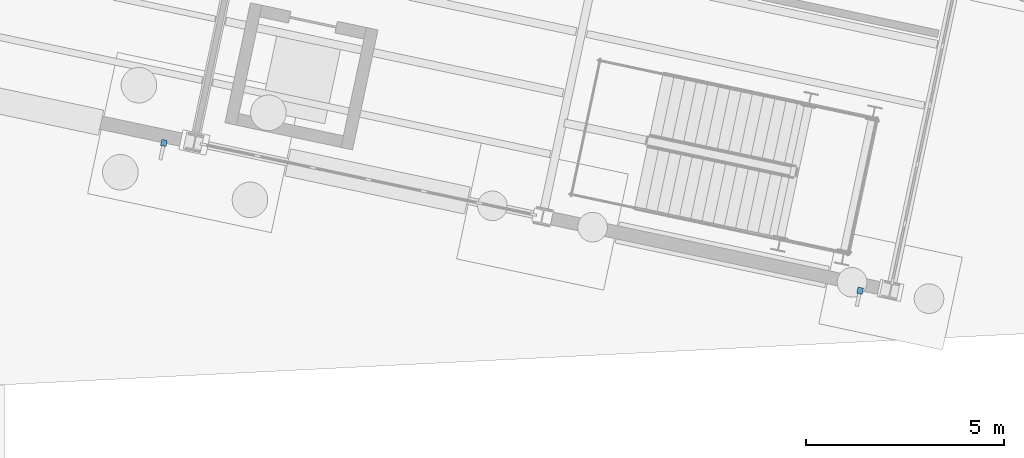
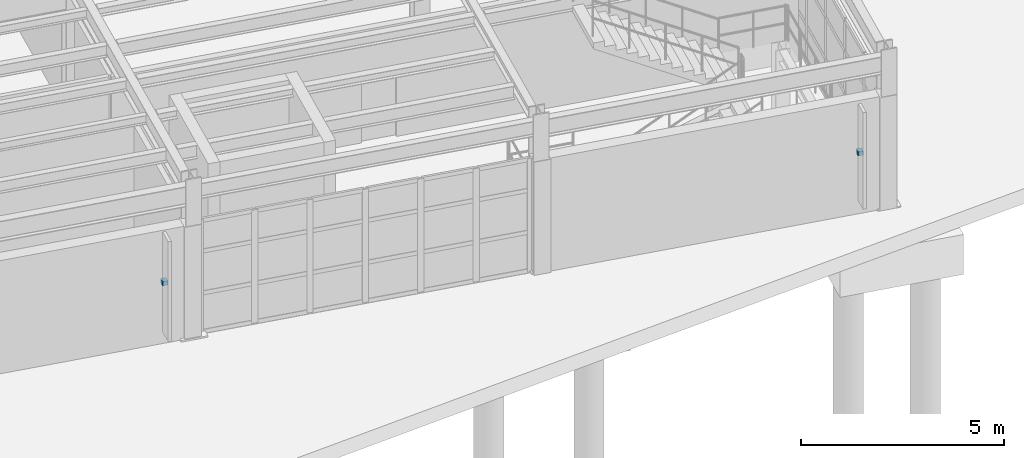
# One storey, part 96 of 108: 2 discrete accessories.
"""IFC4 building model written with IfcOpenShell, lengths in metres."""

from ifc_helpers import new_model, si_unit, direction, frame, origin, origin_2d, place, context, subcontext, project, spatial, rectangle, extrude, material, type_object, element, save


model = new_model("IFC4")

# Units and contexts
model_context = context("Model", 3, precision=1e-05, world=origin(), true_north=direction((0.0, 1.0)))
body_context = subcontext(model_context, "Body", "Model", "MODEL_VIEW")
ifc_project = project(units=[si_unit("LENGTHUNIT", "METRE"), si_unit("AREAUNIT", "SQUARE_METRE"), si_unit("VOLUMEUNIT", "CUBIC_METRE"), si_unit("PLANEANGLEUNIT", "RADIAN"), si_unit("MASSUNIT", "GRAM", prefix="KILO")], contexts=[model_context])

# Site, building, storey
site_placement = place(None, origin())
site = spatial("IfcSite", under=ifc_project, at=site_placement, CompositionType="ELEMENT")
building_placement = place(site_placement, origin())
building = spatial("IfcBuilding", under=site, at=building_placement, Name="Vireo Bluff Cable Station", CompositionType="ELEMENT")
storey_placement = place(building_placement, origin())
storey = spatial("IfcBuildingStorey", under=building, at=storey_placement, Name="L00", CompositionType="ELEMENT", Elevation=0.0)

# Discrete accessories
ifc_material = material(Name="Stainless Steel 316", Category="steel")
discrete_accessory_type = type_object("IfcDiscreteAccessoryType", Name="FACADE-BRACKET-01", PredefinedType="BRACKET", material=ifc_material)
for number, where, z_axis, x_axis, name in (
    (1, (155.6396484375, 4.38134765625, 1.7900390625), (0.0, 0.0, 1.0), (-0.978147597163, 0.207911707617, 0.0), "V5E L00 solar fin bracket 38"),
    (2, (138.031982421875, 8.118896484375, 1.7900390625), (0.0, 0.0, 1.0), (-0.978147595632, 0.207911714821, 0.0), "V5E L00 solar fin bracket 39"),
):
    element("IfcDiscreteAccessory", number, at=place(storey_placement, frame(where, z_axis=z_axis, x_axis=x_axis)), inside=storey, type_object=discrete_accessory_type, Name=name, PredefinedType="BRACKET", context=body_context, shape_type="SweptSolid", body=[
        extrude(rectangle(XDim=0.139892578125, YDim=0.159912109375, at=origin_2d()), origin(), (0.0, 0.0, 1.0), 0.1201171875),
    ])

save(model, "model.ifc")
